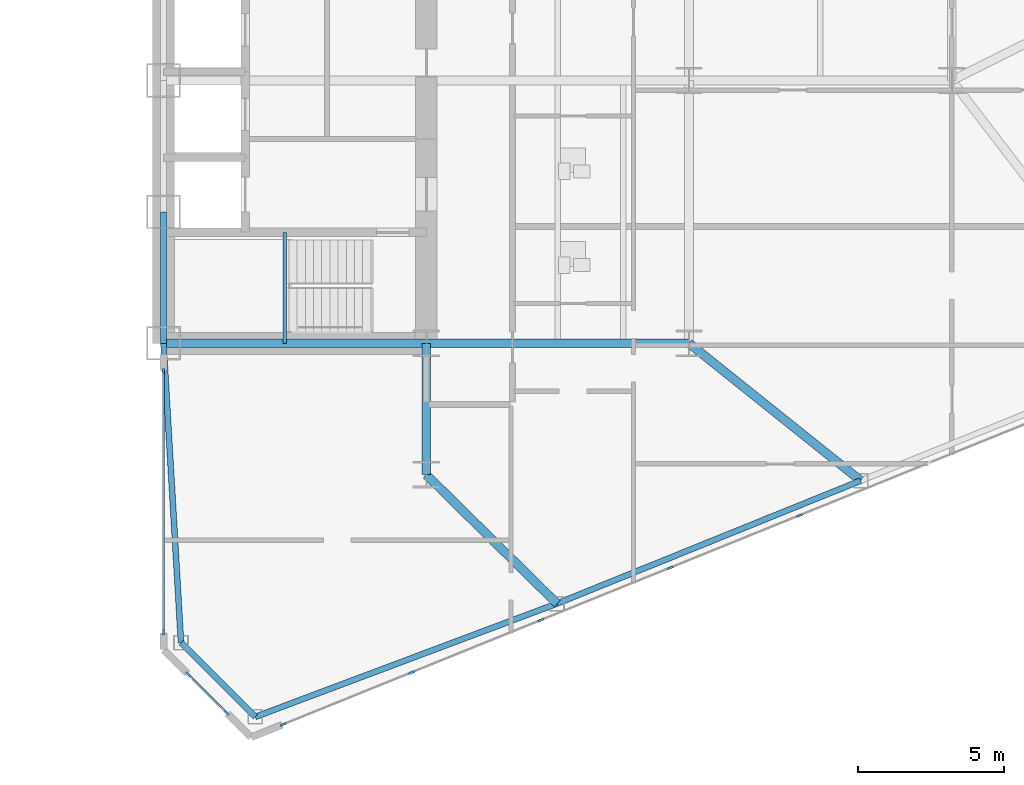
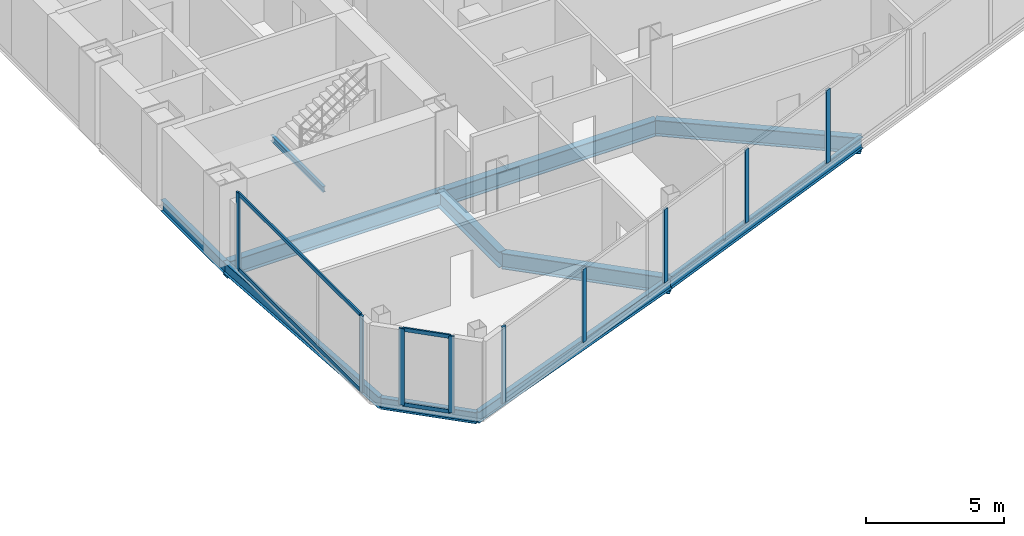
# One storey, part 9 of 25: 13 members, 11 beams, 3 elements without a shape of their own.
"""IFC4 building model written with IfcOpenShell, lengths in metres."""

import ifcopenshell
import ifcopenshell.guid

model = None  # the IFC model being written
_history = None  # IfcOwnerHistory: only IFC2X3 demands one
_inside = {}  # id of a spatial element -> (the spatial element, [elements in it])
_under = {}  # id of a project, library or spatial element -> (it, [spatial elements below it])
_declared = {}  # id of a project -> (the project, [libraries it declares])
_typed = {}  # id of a type object -> (the type object, [elements of that type])
_made_of = {}  # id of a material, layer set ... -> (it, [elements and type objects made of it])


def new_model(schema):
    """Start an empty IFC model of exactly this schema.

    Asked for "IFC4X3", IfcOpenShell would pick the latest addendum, in which some entities
    have other attributes; the version numbers below select the first issue.
    IFC2X3 requires an IfcOwnerHistory on every rooted entity: one is made here for all.
    """
    global model, _history
    if schema == "IFC4X3":
        model = ifcopenshell.file(schema_version=(4, 3, 0, 0))
    else:
        model = ifcopenshell.file(schema=schema)
    _inside.clear()
    _under.clear()
    _declared.clear()
    _typed.clear()
    _made_of.clear()
    _history = None
    if model.schema == "IFC2X3":
        org = make("IfcOrganization", Name="unknown")
        user = make(
            "IfcPersonAndOrganization",
            ThePerson=make("IfcPerson", FamilyName="unknown"),
            TheOrganization=org,
        )
        app = make(
            "IfcApplication",
            ApplicationDeveloper=org,
            Version="unknown",
            ApplicationFullName="unknown",
            ApplicationIdentifier="unknown",
        )
        _history = make(
            "IfcOwnerHistory",
            OwningUser=user,
            OwningApplication=app,
            ChangeAction="ADDED",
            CreationDate=0,
        )
    return model


def make(cls, **values):
    """One entity of the class cls with the attributes given. An attribute that is None is left unset."""
    return model.create_entity(
        cls, **{name: value for name, value in values.items() if value is not None}
    )


def rooted(cls, **values):
    """An entity with a GlobalId (a new one), such as an element, a storey or a relation."""
    return make(cls, GlobalId=ifcopenshell.guid.new(), OwnerHistory=_history, **values)


def si_unit(unit_type, name, prefix=None):
    """IfcSIUnit, for example si_unit("LENGTHUNIT", "METRE", prefix="MILLI")."""
    return make("IfcSIUnit", UnitType=unit_type, Prefix=prefix, Name=name)


def assignment(units):
    """IfcUnitAssignment: the units of a project."""
    return None if units is None else make("IfcUnitAssignment", Units=units)


def point(xyz):
    """IfcCartesianPoint."""
    return None if xyz is None else make("IfcCartesianPoint", Coordinates=xyz)


def direction(xyz):
    """IfcDirection."""
    return None if xyz is None else make("IfcDirection", DirectionRatios=xyz)


def frame(location, z_axis=None, x_axis=None):
    """IfcAxis2Placement3D, a coordinate frame: its origin and axes. An axis left out is left unset."""
    return make(
        "IfcAxis2Placement3D",
        Location=point(location),
        Axis=direction(z_axis),
        RefDirection=direction(x_axis),
    )


def frame_2d(location, x_axis=None):
    """IfcAxis2Placement2D, a coordinate frame in the plane: its origin and x axis."""
    return make(
        "IfcAxis2Placement2D", Location=point(location), RefDirection=direction(x_axis)
    )


def origin():
    """The frame at (0, 0, 0) with its axes left unset."""
    return frame((0.0, 0.0, 0.0))


def origin_2d():
    """The frame at (0, 0) in the plane with its x axis left unset."""
    return frame_2d((0.0, 0.0))


def place(relative_to, where):
    """IfcLocalPlacement: puts the frame where relative to a parent placement (None: the world)."""
    return make(
        "IfcLocalPlacement", PlacementRelTo=relative_to, RelativePlacement=where
    )


def context(
    kind, dimensions, precision=None, world=None, true_north=None, identifier=None
):
    """IfcGeometricRepresentationContext, for example the 3D "Model" context."""
    return make(
        "IfcGeometricRepresentationContext",
        ContextIdentifier=identifier,
        ContextType=kind,
        CoordinateSpaceDimension=dimensions,
        Precision=precision,
        WorldCoordinateSystem=world,
        TrueNorth=true_north,
    )


def subcontext(parent, identifier, kind, view, scale=None):
    """IfcGeometricRepresentationSubContext, for example "Body" below "Model"."""
    return make(
        "IfcGeometricRepresentationSubContext",
        ContextIdentifier=identifier,
        ContextType=kind,
        ParentContext=parent,
        TargetScale=scale,
        TargetView=view,
    )


def project(units=None, contexts=None):
    """IfcProject with its units and contexts."""
    return rooted(
        "IfcProject",
        Name="project",
        RepresentationContexts=contexts,
        UnitsInContext=assignment(units),
    )


def spatial(cls, under=None, at=None, **own):
    """A site, building, storey or space (cls), placed at a placement, below another one or the project."""
    s = rooted(cls, ObjectPlacement=at, **own)
    if under is not None:
        _under.setdefault(under.id(), (under, []))[1].append(s)
    return s


def profile(cls, at=None, kind="AREA", **sizes):
    """A parametric profile (cls). Its sizes go by their IFC names, for example OverallWidth=200.0."""
    return make(cls, ProfileType=kind, Position=at, **sizes)


def rectangle(**sizes):
    """IfcRectangleProfileDef."""
    return profile("IfcRectangleProfileDef", **sizes)


def i_section(**sizes):
    """IfcIShapeProfileDef."""
    return profile("IfcIShapeProfileDef", **sizes)


def extrude(swept, where, along, depth):
    """IfcExtrudedAreaSolid: the profile swept, set in the frame where, extruded along a direction by depth."""
    return make(
        "IfcExtrudedAreaSolid",
        SweptArea=swept,
        Position=where,
        ExtrudedDirection=direction(along),
        Depth=depth,
    )


def shape(context_of_items, identifier, shape_type, items):
    """IfcShapeRepresentation: the items that make up one representation, for example the "Body"."""
    return make(
        "IfcShapeRepresentation",
        ContextOfItems=context_of_items,
        RepresentationIdentifier=identifier,
        RepresentationType=shape_type,
        Items=items,
    )


def source(mapping_origin, context_of_items, identifier, shape_type, items):
    """IfcRepresentationMap: a shape defined once, which mapped items show again and again."""
    return make(
        "IfcRepresentationMap",
        MappingOrigin=mapping_origin,
        MappedRepresentation=shape(context_of_items, identifier, shape_type, items),
    )


def transform(
    local_origin,
    x_axis=None,
    y_axis=None,
    z_axis=None,
    scale=None,
    scale2=None,
    scale3=None,
    uniform=True,
):
    """IfcCartesianTransformationOperator3D, or its non-uniform kind. x_axis, y_axis, z_axis: its Axis1, 2, 3."""
    if uniform:
        return make(
            "IfcCartesianTransformationOperator3D",
            Axis1=direction(x_axis),
            Axis2=direction(y_axis),
            LocalOrigin=point(local_origin),
            Scale=scale,
            Axis3=direction(z_axis),
        )
    return make(
        "IfcCartesianTransformationOperator3DnonUniform",
        Axis1=direction(x_axis),
        Axis2=direction(y_axis),
        LocalOrigin=point(local_origin),
        Scale=scale,
        Axis3=direction(z_axis),
        Scale2=scale2,
        Scale3=scale3,
    )


def mapped(mapping_source, mapping_target):
    """IfcMappedItem: shows the shape of a source again, moved by a transform."""
    return make(
        "IfcMappedItem", MappingSource=mapping_source, MappingTarget=mapping_target
    )


def material(Name=None, Category=None):
    """IfcMaterial."""
    return make("IfcMaterial", Name=Name, Category=Category)


def layer(
    of_material, thickness, ventilated=None, Name=None, Category=None, Priority=None
):
    """IfcMaterialLayer: one layer of a wall or slab, of a material (None: an air gap)."""
    return make(
        "IfcMaterialLayer",
        Material=of_material,
        LayerThickness=thickness,
        IsVentilated=ventilated,
        Name=Name,
        Category=Category,
        Priority=Priority,
    )


def layer_set(layers, Name=None):
    """IfcMaterialLayerSet."""
    return make("IfcMaterialLayerSet", MaterialLayers=layers, LayerSetName=Name)


def material_profile(
    of_material, cross_section, Name=None, Category=None, Priority=None
):
    """IfcMaterialProfile: a cross section and its material."""
    return make(
        "IfcMaterialProfile",
        Name=Name,
        Material=of_material,
        Profile=cross_section,
        Priority=Priority,
        Category=Category,
    )


def profile_set(profiles, Name=None, composite=None):
    """IfcMaterialProfileSet."""
    return make(
        "IfcMaterialProfileSet",
        Name=Name,
        MaterialProfiles=profiles,
        CompositeProfile=composite,
    )


def made_of(thing, what):
    """Note that an element or type object is made of a material, layer set ...; save() writes the relation."""
    if what is not None:
        _made_of.setdefault(what.id(), (what, []))[1].append(thing)
    return thing


def type_object(cls, material=None, **own):
    """A type object (cls), such as IfcWallType, which elements share."""
    return made_of(rooted(cls, **own), material)


def type_shapes(of_type, sources):
    """Give a type object the sources (RepresentationMaps) that its elements show as mapped items."""
    of_type.RepresentationMaps = sources


def element(
    cls,
    number,
    at=None,
    inside=None,
    cuts=None,
    type_object=None,
    material=None,
    context=None,
    identifier="Body",
    shape_type=None,
    held_by="IfcProductDefinitionShape",
    body=None,
    shapes=None,
    **own,
):
    """One element of the class cls, such as IfcWall. Its Tag is "e" and its number.

    at: its placement. inside: the storey or other place that contains it. cuts: it is an
    opening in that element (IfcRelVoidsElement). A single representation is given by context,
    identifier, shape_type and body (its items); several are given by shapes. held_by: the class
    of the entity that holds the representations. save() writes the other relations.
    """
    e = rooted(cls, Tag="e%d" % number, ObjectPlacement=at, **own)
    if body is not None:
        shapes = [shape(context, identifier, shape_type, body)]
    if shapes is not None:
        e.Representation = make(held_by, Representations=shapes)
    if inside is not None:
        _inside.setdefault(inside.id(), (inside, []))[1].append(e)
    if cuts is not None:
        rooted(
            "IfcRelVoidsElement", RelatingBuildingElement=cuts, RelatedOpeningElement=e
        )
    if type_object is not None:
        _typed.setdefault(type_object.id(), (type_object, []))[1].append(e)
    return made_of(e, material)


def aggregate(whole, parts):
    """IfcRelAggregates: a whole, such as a stair, and the parts it consists of."""
    return rooted("IfcRelAggregates", RelatingObject=whole, RelatedObjects=parts)


def save(model, path):
    """Write the relations noted so far, then the file.

    IfcRelAggregates (storeys below a building ...), IfcRelContainedInSpatialStructure (elements
    in a storey), IfcRelDefinesByType, IfcRelAssociatesMaterial and IfcRelDeclares: one each for
    every whole, place, type object, material and project.
    """
    for whole, parts in _under.values():
        aggregate(whole, parts)
    for where, things in _inside.values():
        rooted(
            "IfcRelContainedInSpatialStructure",
            RelatedElements=things,
            RelatingStructure=where,
        )
    for kind, things in _typed.values():
        rooted("IfcRelDefinesByType", RelatedObjects=things, RelatingType=kind)
    for what, things in _made_of.values():
        rooted("IfcRelAssociatesMaterial", RelatedObjects=things, RelatingMaterial=what)
    for by, libraries in _declared.values():
        rooted("IfcRelDeclares", RelatingContext=by, RelatedDefinitions=libraries)
    model.write(path)


model = new_model("IFC4")

# Units and contexts
model_context = context("Model", 3, precision=1e-05, world=origin(), true_north=direction((0.0, 1.0)))
body_context = subcontext(model_context, "Body", "Model", "MODEL_VIEW")
ifc_project = project(units=[si_unit("LENGTHUNIT", "METRE"), si_unit("AREAUNIT", "SQUARE_METRE"), si_unit("VOLUMEUNIT", "CUBIC_METRE"), si_unit("PLANEANGLEUNIT", "RADIAN"), si_unit("MASSUNIT", "GRAM", prefix="KILO")], contexts=[model_context])

# Site, building, storey
site_placement = place(None, origin())
site = spatial("IfcSite", under=ifc_project, at=site_placement, CompositionType="ELEMENT")
building_placement = place(site_placement, origin())
building = spatial("IfcBuilding", under=site, at=building_placement, Name="Seokmaru Belvedere", CompositionType="ELEMENT")
storey_placement = place(building_placement, frame((0.0, 0.0, 22.5)))
storey = spatial("IfcBuildingStorey", under=building, at=storey_placement, Name="L05", CompositionType="ELEMENT", Elevation=22.5)

# Beams
ifc_material_1 = material(Name="Steel SM355 (355 MPa)", Category="steel")
ifc_material_profile_1 = material_profile(ifc_material_1, i_section(OverallWidth=0.199951171875, OverallDepth=0.5, WebThickness=0.010009765625, FlangeThickness=0.01611328125, at=origin_2d()), Name="H-500x200x10x16")
ifc_profile_set_1 = profile_set([ifc_material_profile_1], Name="Steel SM355 (355 MPa)")
beam_type_1 = type_object("IfcBeamType", Name="Perimeter Spandrel Beam H-500", PredefinedType="SPANDREL", material=ifc_profile_set_1)
shared_shape_1 = source(origin(), body_context, "Body", "SweptSolid", [
    extrude(i_section(OverallWidth=0.199951171875, OverallDepth=0.5, WebThickness=0.010009765625, FlangeThickness=0.01611328125, at=origin_2d()), origin(), (0.0, 0.0, 1.0), 4.5),
])
beam_1_placement = place(storey_placement, frame((27.5, -13.5, -0.469970703125), z_axis=(0.0, 1.0, 0.0), x_axis=(-1.0, 0.0, 0.0)))
element("IfcBeam", 1, at=beam_1_placement, inside=storey, type_object=beam_type_1, Name="L05 E Portal Spine Spandrel 1", PredefinedType="SPANDREL", context=body_context, shape_type="MappedRepresentation", body=[
    mapped(shared_shape_1, transform((0.0, 0.0, 0.0), scale=1.0)),
])
ifc_material_profile_2 = material_profile(ifc_material_1, i_section(OverallWidth=0.300048828125, OverallDepth=0.699951171875, WebThickness=0.012939453125, FlangeThickness=0.02392578125, at=origin_2d()), Name="H-700x300x13x24")
ifc_profile_set_2 = profile_set([ifc_material_profile_2], Name="Steel SM355 (355 MPa)")
beam_type_2 = type_object("IfcBeamType", Name="Primary Floor Girder H-700", PredefinedType="BEAM", material=ifc_profile_set_2)
shared_shape_2 = source(origin(), body_context, "Body", "SweptSolid", [
    extrude(i_section(OverallWidth=0.300048828125, OverallDepth=0.699951171875, WebThickness=0.012939453125, FlangeThickness=0.02392578125, at=origin_2d()), origin(), (0.0, 0.0, 1.0), 4.5),
])
beam_2_placement = place(storey_placement, frame((36.5, -18.0, -0.570068359375), z_axis=(0.0, 1.0, 0.0), x_axis=(-1.0, 0.0, 0.0)))
element("IfcBeam", 2, at=beam_2_placement, inside=storey, type_object=beam_type_2, Name="L05 E Core Shoulder Girder S", PredefinedType="BEAM", context=body_context, shape_type="MappedRepresentation", body=[
    mapped(shared_shape_2, transform((0.0, 0.0, 0.0), scale=1.0)),
])
shared_shape_3 = source(origin(), body_context, "Body", "SweptSolid", [
    extrude(i_section(OverallWidth=0.300048828125, OverallDepth=0.699951171875, WebThickness=0.012939453125, FlangeThickness=0.02392578125, at=origin_2d()), origin(), (0.0, 0.0, 1.0), 9.0),
])
for number, where, z_axis, x_axis, name in (
    (3, (27.5, -13.5, -0.570068359375), (1.0, 0.0, 0.0), (0.0, 1.0, 0.0), "L05 E Core Tie Girder 1"),
    (4, (36.5, -13.5, -0.570068359375), (1.0, 0.0, 0.0), (0.0, 1.0, 0.0), "L05 E Wing Primary Girder 1"),
):
    element("IfcBeam", number, at=place(storey_placement, frame(where, z_axis=z_axis, x_axis=x_axis)), inside=storey, type_object=beam_type_2, Name=name, PredefinedType="BEAM", context=body_context, shape_type="MappedRepresentation", body=[
        mapped(shared_shape_3, transform((0.0, 0.0, 0.0), scale=1.0)),
    ])
shared_shape_4 = source(origin(), body_context, "Body", "SweptSolid", [
    extrude(i_section(OverallWidth=0.199951171875, OverallDepth=0.5, WebThickness=0.010009765625, FlangeThickness=0.01611328125, at=origin_2d()), origin(), (0.0, 0.0, 1.0), 11.03857421875),
])
beam_3_placement = place(storey_placement, frame((30.643310546875, -26.294677734375, -0.469970703125), z_axis=(0.936169110734, 0.351549990907, 0.0), x_axis=(-0.351549990907, 0.936169110734, 0.0)))
element("IfcBeam", 5, at=beam_3_placement, inside=storey, type_object=beam_type_1, Name="L05 E Faceted Flank Spandrel S-1", PredefinedType="SPANDREL", context=body_context, shape_type="MappedRepresentation", body=[
    mapped(shared_shape_4, transform((0.0, 0.0, 0.0), scale=1.0)),
])
shared_shape_5 = source(origin(), body_context, "Body", "SweptSolid", [
    extrude(i_section(OverallWidth=0.199951171875, OverallDepth=0.5, WebThickness=0.010009765625, FlangeThickness=0.01611328125, at=origin_2d()), origin(), (0.0, 0.0, 1.0), 11.220703125),
])
beam_4_placement = place(storey_placement, frame((40.977294921875, -22.4140625, -0.469970703125), z_axis=(0.926944290816, 0.375198989503, 0.0), x_axis=(-0.375198989503, 0.926944290816, 0.0)))
element("IfcBeam", 6, at=beam_4_placement, inside=storey, type_object=beam_type_1, Name="L05 E Faceted Flank Spandrel S-2", PredefinedType="SPANDREL", context=body_context, shape_type="MappedRepresentation", body=[
    mapped(shared_shape_5, transform((0.0, 0.0, 0.0), scale=1.0)),
])
shared_shape_6 = source(origin(), body_context, "Body", "SweptSolid", [
    extrude(i_section(OverallWidth=0.199951171875, OverallDepth=0.5, WebThickness=0.010009765625, FlangeThickness=0.01611328125, at=origin_2d()), origin(), (0.0, 0.0, 1.0), 3.5966796875),
])
beam_5_placement = place(storey_placement, frame((30.643310546875, -26.294677734375, -0.469970703125), z_axis=(-0.707106781187, 0.707106781187, 0.0), x_axis=(-0.707106781187, -0.707106781187, 0.0)))
element("IfcBeam", 7, at=beam_5_placement, inside=storey, type_object=beam_type_1, Name="L05 E Shoulder Chamfer Spandrel S", PredefinedType="SPANDREL", context=body_context, shape_type="MappedRepresentation", body=[
    mapped(shared_shape_6, transform((0.0, 0.0, 0.0), scale=1.0)),
])
shared_shape_7 = source(origin(), body_context, "Body", "SweptSolid", [
    extrude(i_section(OverallWidth=0.199951171875, OverallDepth=0.5, WebThickness=0.010009765625, FlangeThickness=0.01611328125, at=origin_2d()), origin(), (0.0, 0.0, 1.0), 10.26904296875),
])
type_shapes(beam_type_1, [shared_shape_1, shared_shape_4, shared_shape_5, shared_shape_6, shared_shape_7])
beam_6_placement = place(storey_placement, frame((28.10009765625, -23.75146484375, -0.469970703125), z_axis=(-0.058437709399, 0.998291056817, 0.0), x_axis=(-0.998291056817, -0.058437709399, 0.0)))
element("IfcBeam", 8, at=beam_6_placement, inside=storey, type_object=beam_type_1, Name="L05 E Shoulder Spine Spandrel S", PredefinedType="SPANDREL", context=body_context, shape_type="MappedRepresentation", body=[
    mapped(shared_shape_7, transform((0.0, 0.0, 0.0), scale=1.0)),
])
shared_shape_8 = source(origin(), body_context, "Body", "SweptSolid", [
    extrude(i_section(OverallWidth=0.300048828125, OverallDepth=0.699951171875, WebThickness=0.012939453125, FlangeThickness=0.02392578125, at=origin_2d()), origin(), (0.0, 0.0, 1.0), 6.287353515625),
])
beam_7_placement = place(storey_placement, frame((40.977294921875, -22.4140625, -0.570068359375), z_axis=(-0.712117485263, 0.702060315915, 0.0), x_axis=(-0.702060315915, -0.712117485263, 0.0)))
element("IfcBeam", 9, at=beam_7_placement, inside=storey, type_object=beam_type_2, Name="L05 E Flank Radial Floor Girder S-1", PredefinedType="BEAM", context=body_context, shape_type="MappedRepresentation", body=[
    mapped(shared_shape_8, transform((0.0, 0.0, 0.0), scale=1.0)),
])
shared_shape_9 = source(origin(), body_context, "Body", "SweptSolid", [
    extrude(i_section(OverallWidth=0.300048828125, OverallDepth=0.699951171875, WebThickness=0.012939453125, FlangeThickness=0.02392578125, at=origin_2d()), origin(), (0.0, 0.0, 1.0), 7.52880859375),
])
type_shapes(beam_type_2, [shared_shape_2, shared_shape_3, shared_shape_8, shared_shape_9])
beam_8_placement = place(storey_placement, frame((51.378173828125, -18.2041015625, -0.570068359375), z_axis=(-0.780767560736, 0.624821587418, 0.0), x_axis=(-0.624821587418, -0.780767560736, 0.0)))
element("IfcBeam", 10, at=beam_8_placement, inside=storey, type_object=beam_type_2, Name="L05 E Flank Radial Floor Girder S-2", PredefinedType="BEAM", context=body_context, shape_type="MappedRepresentation", body=[
    mapped(shared_shape_9, transform((0.0, 0.0, 0.0), scale=1.0)),
])

# Curtain wall, members
ifc_material_2 = material(Name="Bronze Triple Insulating Glass", Category="glass")
ifc_layer = layer(ifc_material_2, 0.2099609375)
ifc_layer_set = layer_set([ifc_layer], Name="Bronze Triple Insulating Glass")
curtain_wall_type = type_object("IfcCurtainWallType", Name="Low-Rise Faceted Crystal Curtain Wall System CW-2", PredefinedType="NOTDEFINED", material=ifc_layer_set)
curtain_wall_1_placement = place(storey_placement, origin())
curtain_wall_1 = element("IfcCurtainWall", 11, at=curtain_wall_1_placement, inside=storey, type_object=curtain_wall_type, Name="L05 Curtain Wall ESP_1", PredefinedType="NOTDEFINED")
ifc_material_3 = material(Name="Anodised Bronze Aluminium", Category="aluminium")
ifc_material_profile_3 = material_profile(ifc_material_3, rectangle(XDim=0.070068359375, YDim=0.1650390625, at=origin_2d()), Name="CW-T-70x165")
ifc_profile_set_3 = profile_set([ifc_material_profile_3], Name="Anodised Bronze Aluminium")
member_type_1 = type_object("IfcMemberType", Name="Bronze Unitised Transom 70x165", PredefinedType="USERDEFINED", material=ifc_profile_set_3)
shared_shape_10 = source(origin(), body_context, "Body", "SweptSolid", [
    extrude(rectangle(XDim=0.070068359375, YDim=0.1650390625, at=origin_2d()), origin(), (0.0, 0.0, 1.0), 8.85009765625),
])
member_1_placement = place(storey_placement, frame((27.5, -14.5048828125, 0.034912109375), z_axis=(0.0, -1.0, 0.0), x_axis=(1.0, 0.0, 0.0)))
member_1 = element("IfcMember", 12, at=member_1_placement, type_object=member_type_1, Name="CW:L05:ESP_1 Continuous Transom 1", ObjectType="TRANSOM", PredefinedType="USERDEFINED", context=body_context, shape_type="MappedRepresentation", body=[
    mapped(shared_shape_10, transform((0.0, 0.0, 0.0), scale=1.0)),
])
member_2_placement = place(storey_placement, frame((27.5, -14.5048828125, 3.344970703125), z_axis=(0.0, -1.0, 0.0), x_axis=(1.0, 0.0, 0.0)))
member_2 = element("IfcMember", 13, at=member_2_placement, type_object=member_type_1, Name="CW:L05:ESP_1 Continuous Transom 2", ObjectType="TRANSOM", PredefinedType="USERDEFINED", context=body_context, shape_type="MappedRepresentation", body=[
    mapped(shared_shape_10, transform((0.0, 0.0, 0.0), scale=1.0)),
])

curtain_wall_2_placement = place(storey_placement, origin())
curtain_wall_2 = element("IfcCurtainWall", 14, at=curtain_wall_2_placement, inside=storey, type_object=curtain_wall_type, Name="L05 Curtain Wall EF6", PredefinedType="NOTDEFINED")
shared_shape_11 = source(origin(), body_context, "Body", "SweptSolid", [
    extrude(rectangle(XDim=0.070068359375, YDim=0.1650390625, at=origin_2d()), origin(), (0.0, 0.0, 1.0), 1.792724609375),
])
type_shapes(member_type_1, [shared_shape_10, shared_shape_11])
member_3_placement = place(storey_placement, frame((28.3662109375, -24.8662109375, 0.034912109375), z_axis=(0.707106781187, -0.707106781187, 0.0), x_axis=(0.707106781187, 0.707106781187, 0.0)))
member_3 = element("IfcMember", 15, at=member_3_placement, type_object=member_type_1, Name="CW:L05:EF6 Continuous Transom 1", ObjectType="TRANSOM", PredefinedType="USERDEFINED", context=body_context, shape_type="MappedRepresentation", body=[
    mapped(shared_shape_11, transform((0.0, 0.0, 0.0), scale=1.0)),
])
member_4_placement = place(storey_placement, frame((28.3662109375, -24.8662109375, 3.344970703125), z_axis=(0.707106781187, -0.707106781187, 0.0), x_axis=(0.707106781187, 0.707106781187, 0.0)))
member_4 = element("IfcMember", 16, at=member_4_placement, type_object=member_type_1, Name="CW:L05:EF6 Continuous Transom 2", ObjectType="TRANSOM", PredefinedType="USERDEFINED", context=body_context, shape_type="MappedRepresentation", body=[
    mapped(shared_shape_11, transform((0.0, 0.0, 0.0), scale=1.0)),
])

curtain_wall_3_placement = place(storey_placement, origin())
curtain_wall_3 = element("IfcCurtainWall", 17, at=curtain_wall_3_placement, inside=storey, type_object=curtain_wall_type, Name="L05 Curtain Wall EF1", PredefinedType="NOTDEFINED")
ifc_material_profile_4 = material_profile(ifc_material_3, rectangle(XDim=0.074951171875, YDim=0.2099609375, at=origin_2d()), Name="CW-M-75x210")
ifc_profile_set_4 = profile_set([ifc_material_profile_4], Name="Anodised Bronze Aluminium")
member_type_2 = type_object("IfcMemberType", Name="Bronze Unitised Mullion 75x210", PredefinedType="MULLION", material=ifc_profile_set_4)
shared_shape_12 = source(origin(), body_context, "Body", "SweptSolid", [
    extrude(rectangle(XDim=0.074951171875, YDim=0.2099609375, at=origin_2d()), origin(), (0.0, 0.0, 1.0), 3.239990234375),
])
member_5_placement = place(storey_placement, frame((35.995849609375, -24.775390625, 0.070068359375), z_axis=(0.0, 0.0, 1.0), x_axis=(-0.375192321888, 0.926946989637, 0.0)))
member_5 = element("IfcMember", 18, at=member_5_placement, type_object=member_type_2, Name="CW:L05:EF1 Mullion 2", PredefinedType="MULLION", context=body_context, shape_type="MappedRepresentation", body=[
    mapped(shared_shape_12, transform((0.0, 0.0, 0.0), scale=1.0)),
])
member_6_placement = place(storey_placement, frame((40.425537109375, -22.982421875, 0.070068359375), z_axis=(0.0, 0.0, 1.0), x_axis=(-0.375192321888, 0.926946989637, 0.0)))
member_6 = element("IfcMember", 19, at=member_6_placement, type_object=member_type_2, Name="CW:L05:EF1 Mullion 3", PredefinedType="MULLION", context=body_context, shape_type="MappedRepresentation", body=[
    mapped(shared_shape_12, transform((0.0, 0.0, 0.0), scale=1.0)),
])
member_7_placement = place(storey_placement, frame((44.855224609375, -21.189453125, 0.070068359375), z_axis=(0.0, 0.0, 1.0), x_axis=(-0.375192321888, 0.926946989637, 0.0)))
member_7 = element("IfcMember", 20, at=member_7_placement, type_object=member_type_2, Name="CW:L05:EF1 Mullion 4", PredefinedType="MULLION", context=body_context, shape_type="MappedRepresentation", body=[
    mapped(shared_shape_12, transform((0.0, 0.0, 0.0), scale=1.0)),
])
member_8_placement = place(storey_placement, frame((49.28515625, -19.396484375, 0.070068359375), z_axis=(0.0, 0.0, 1.0), x_axis=(-0.375192321888, 0.926946989637, 0.0)))
member_8 = element("IfcMember", 21, at=member_8_placement, type_object=member_type_2, Name="CW:L05:EF1 Mullion 5", PredefinedType="MULLION", context=body_context, shape_type="MappedRepresentation", body=[
    mapped(shared_shape_12, transform((0.0, 0.0, 0.0), scale=1.0)),
])
shared_shape_13 = source(origin(), body_context, "Body", "SweptSolid", [
    extrude(rectangle(XDim=0.074951171875, YDim=0.2099609375, at=origin_2d()), origin(), (0.0, 0.0, 1.0), 3.3798828125),
])
type_shapes(member_type_2, [shared_shape_12, shared_shape_13])
member_9_placement = place(storey_placement, frame((31.600830078125, -26.554443359375, 0.0), z_axis=(0.0, 0.0, 1.0), x_axis=(-0.375192321888, 0.926946989637, 0.0)))
member_9 = element("IfcMember", 22, at=member_9_placement, type_object=member_type_2, Name="CW:L05:EF1 Mullion 1", PredefinedType="MULLION", context=body_context, shape_type="MappedRepresentation", body=[
    mapped(shared_shape_13, transform((0.0, 0.0, 0.0), scale=1.0)),
])
aggregate(curtain_wall_3, [member_9, member_5, member_6, member_7, member_8])

# Member
member_10_placement = place(storey_placement, frame((27.5, -14.467529296875, 0.0), z_axis=(0.0, 0.0, 1.0), x_axis=(1.0, 0.0, 0.0)))
member_10 = element("IfcMember", 23, at=member_10_placement, type_object=member_type_2, Name="CW:L05:ESP_1 Mullion 1", PredefinedType="MULLION", context=body_context, shape_type="MappedRepresentation", body=[
    mapped(shared_shape_13, transform((0.0, 0.0, 0.0), scale=1.0)),
])

member_11_placement = place(storey_placement, frame((27.5, -23.392578125, 0.0), z_axis=(0.0, 0.0, 1.0), x_axis=(1.0, 0.0, 0.0)))
member_11 = element("IfcMember", 24, at=member_11_placement, type_object=member_type_2, Name="CW:L05:ESP_1 Mullion 2", PredefinedType="MULLION", context=body_context, shape_type="MappedRepresentation", body=[
    mapped(shared_shape_13, transform((0.0, 0.0, 0.0), scale=1.0)),
])

aggregate(curtain_wall_1, [member_10, member_11, member_1, member_2])

member_12_placement = place(storey_placement, frame((28.339599609375, -24.839599609375, 0.0), z_axis=(0.0, 0.0, 1.0), x_axis=(0.707106781187, 0.707106781187, 0.0)))
member_12 = element("IfcMember", 25, at=member_12_placement, type_object=member_type_2, Name="CW:L05:EF6 Mullion 1", PredefinedType="MULLION", context=body_context, shape_type="MappedRepresentation", body=[
    mapped(shared_shape_13, transform((0.0, 0.0, 0.0), scale=1.0)),
])

member_13_placement = place(storey_placement, frame((29.660400390625, -26.160400390625, 0.0), z_axis=(0.0, 0.0, 1.0), x_axis=(0.707106781187, 0.707106781187, 0.0)))
member_13 = element("IfcMember", 26, at=member_13_placement, type_object=member_type_2, Name="CW:L05:EF6 Mullion 2", PredefinedType="MULLION", context=body_context, shape_type="MappedRepresentation", body=[
    mapped(shared_shape_13, transform((0.0, 0.0, 0.0), scale=1.0)),
])

aggregate(curtain_wall_2, [member_12, member_13, member_3, member_4])

# Beam
ifc_material_profile_5 = material_profile(ifc_material_1, i_section(OverallWidth=0.125, OverallDepth=0.25, WebThickness=0.006103515625, FlangeThickness=0.009033203125, at=origin_2d()), Name="H-250x125x6x9")
ifc_profile_set_5 = profile_set([ifc_material_profile_5], Name="Steel SM355 (355 MPa)")
beam_type_3 = type_object("IfcBeamType", Name="Stair Mid-Landing Support Beam H-250", PredefinedType="JOIST", material=ifc_profile_set_5)
shared_shape_14 = source(origin(), body_context, "Body", "SweptSolid", [
    extrude(i_section(OverallWidth=0.125, OverallDepth=0.25, WebThickness=0.006103515625, FlangeThickness=0.009033203125, at=origin_2d()), origin(), (0.0, 0.0, 1.0), 3.800048828125),
])
type_shapes(beam_type_3, [shared_shape_14])
beam_9_placement = place(storey_placement, frame((31.64990234375, -13.5, 1.47509765625), z_axis=(0.0, 1.0, 0.0), x_axis=(-1.0, 0.0, 0.0)))
element("IfcBeam", 27, at=beam_9_placement, inside=storey, type_object=beam_type_3, Name="L05 Stair ST-E1 Mid-Landing Support Beam 1", PredefinedType="JOIST", context=body_context, shape_type="MappedRepresentation", body=[
    mapped(shared_shape_14, transform((0.0, 0.0, 0.0), scale=1.0)),
])

save(model, "model.ifc")
